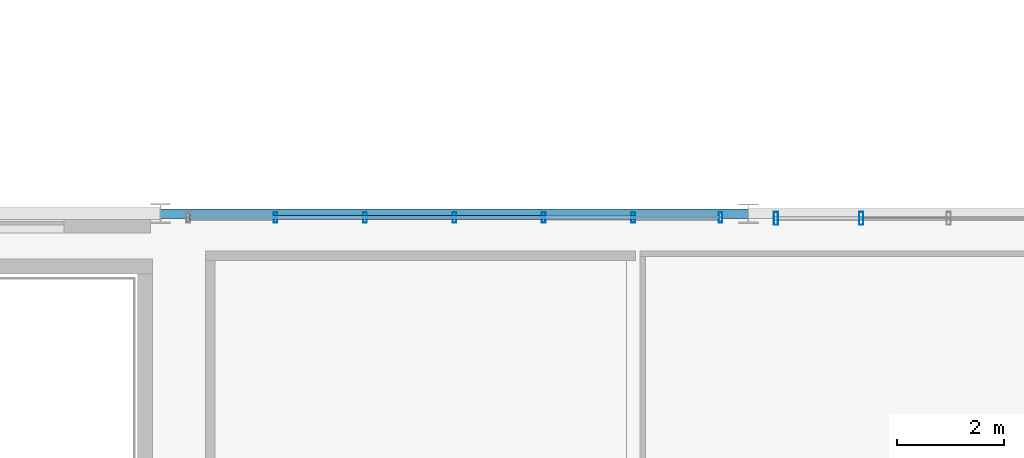
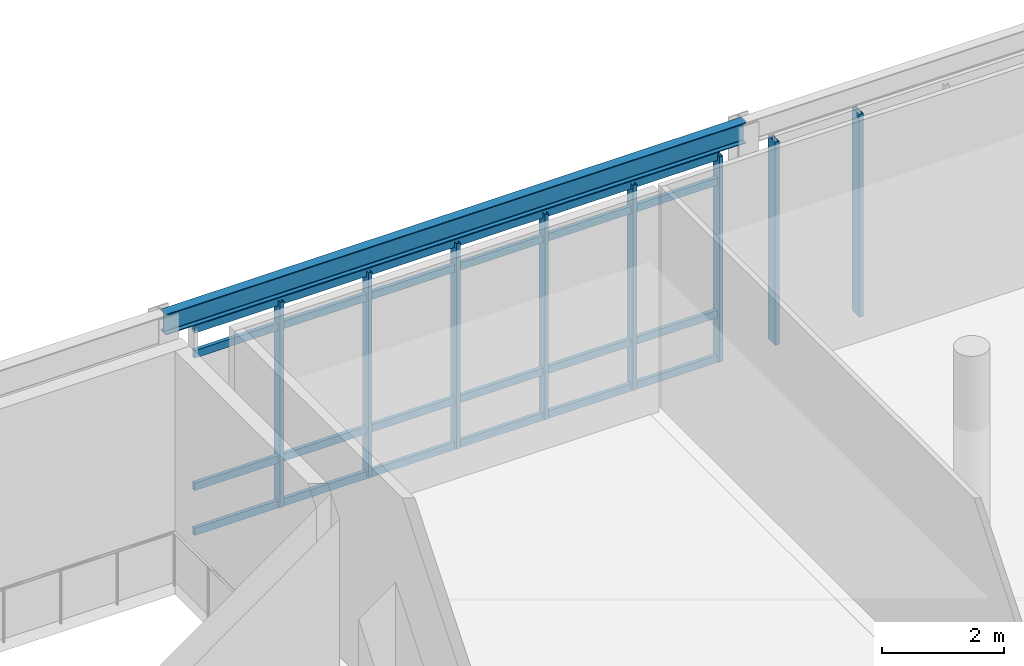
# One storey, part 34 of 200: 12 members, 1 beam, 2 elements without a shape of their own.
"""IFC4 building model written with IfcOpenShell, lengths in metres."""

from ifc_helpers import new_model, si_unit, direction, frame, origin, origin_2d, place, context, subcontext, project, spatial, hollow_rectangle, i_section, extrude, material, material_profile, profile_set, type_object, element, aggregate, save


model = new_model("IFC4")

# Units and contexts
model_context = context("Model", 3, precision=1e-05, world=origin(), true_north=direction((0.0, 1.0)))
body_context = subcontext(model_context, "Body", "Model", "MODEL_VIEW")
ifc_project = project(units=[si_unit("LENGTHUNIT", "METRE"), si_unit("AREAUNIT", "SQUARE_METRE"), si_unit("VOLUMEUNIT", "CUBIC_METRE"), si_unit("PLANEANGLEUNIT", "RADIAN"), si_unit("MASSUNIT", "GRAM", prefix="KILO"), si_unit("THERMODYNAMICTEMPERATUREUNIT", "KELVIN"), si_unit("POWERUNIT", "WATT")], contexts=[model_context])

# Site, building, storey
site_placement = place(None, origin())
site = spatial("IfcSite", under=ifc_project, at=site_placement, CompositionType="ELEMENT")
building_placement = place(site_placement, origin())
building = spatial("IfcBuilding", under=site, at=building_placement, Name="Tepalcoro Natatorium and Aquatics Centre", CompositionType="ELEMENT")
storey_placement = place(building_placement, frame((0.0, 0.0, 5.39990234375)))
storey = spatial("IfcBuildingStorey", under=building, at=storey_placement, Name="L01", CompositionType="ELEMENT", Elevation=5.39990234375)

# Curtain wall, members
ifc_material_1 = material(Name="Bronze-Anodised Extruded Aluminium Alloy EN AW-6063 T6", Category="aluminium")
curtain_wall_type_1 = type_object("IfcCurtainWallType", Name="CW_LEAN_T1_EW", PredefinedType="USERDEFINED", material=ifc_material_1)
curtain_wall_1_placement = place(storey_placement, origin())
curtain_wall_1 = element("IfcCurtainWall", 1, at=curtain_wall_1_placement, inside=storey, type_object=curtain_wall_type_1, Name="V3 L01 N Unitised Curtain Wall Bay 2", ObjectType="FACETED SOLAR GLAZING", PredefinedType="USERDEFINED")
ifc_material_profile_1 = material_profile(ifc_material_1, hollow_rectangle(XDim=0.070068359375, YDim=0.199951171875, WallThickness=0.0048828125, at=origin_2d()), Name="AL70X200X5")
ifc_profile_set_1 = profile_set([ifc_material_profile_1], Name="Bronze-Anodised Extruded Aluminium Alloy EN AW-6063 T6")
member_type_1 = type_object("IfcMemberType", Name="CW_MUL_70x200", PredefinedType="MULLION", material=ifc_profile_set_1)
member_1_placement = place(storey_placement, frame((12.1533203125, 51.4287109375, 0.02001953125), z_axis=(0.0, 0.0, 1.0), x_axis=(1.0, 0.0, 0.0)))
member_1 = element("IfcMember", 2, at=member_1_placement, type_object=member_type_1, Name="CW_LEAN_T1_EW Curtain Wall Mullion", PredefinedType="MULLION", context=body_context, shape_type="SweptSolid", body=[
    extrude(hollow_rectangle(XDim=0.070068359375, YDim=0.199951171875, WallThickness=0.0048828125, at=origin_2d()), origin(), (0.0, 0.0, 1.0), 4.1171875),
])
member_2_placement = place(storey_placement, frame((13.82666015625, 51.4287109375, 0.02001953125), z_axis=(0.0, 0.0, 1.0), x_axis=(1.0, 0.0, 0.0)))
member_2 = element("IfcMember", 3, at=member_2_placement, type_object=member_type_1, Name="CW_LEAN_T1_EW Curtain Wall Mullion", PredefinedType="MULLION", context=body_context, shape_type="SweptSolid", body=[
    extrude(hollow_rectangle(XDim=0.070068359375, YDim=0.199951171875, WallThickness=0.0048828125, at=origin_2d()), origin(), (0.0, 0.0, 1.0), 4.1171875),
])
member_3_placement = place(storey_placement, frame((15.5, 51.4287109375, 0.02001953125), z_axis=(0.0, 0.0, 1.0), x_axis=(1.0, 0.0, 0.0)))
member_3 = element("IfcMember", 4, at=member_3_placement, type_object=member_type_1, Name="CW_LEAN_T1_EW Curtain Wall Mullion", PredefinedType="MULLION", context=body_context, shape_type="SweptSolid", body=[
    extrude(hollow_rectangle(XDim=0.070068359375, YDim=0.199951171875, WallThickness=0.0048828125, at=origin_2d()), origin(), (0.0, 0.0, 1.0), 4.1171875),
])
member_4_placement = place(storey_placement, frame((17.17333984375, 51.4287109375, 0.02001953125), z_axis=(0.0, 0.0, 1.0), x_axis=(1.0, 0.0, 0.0)))
member_4 = element("IfcMember", 5, at=member_4_placement, type_object=member_type_1, Name="CW_LEAN_T1_EW Curtain Wall Mullion", PredefinedType="MULLION", context=body_context, shape_type="SweptSolid", body=[
    extrude(hollow_rectangle(XDim=0.070068359375, YDim=0.199951171875, WallThickness=0.0048828125, at=origin_2d()), origin(), (0.0, 0.0, 1.0), 4.1171875),
])
member_5_placement = place(storey_placement, frame((18.8466796875, 51.4287109375, 0.02001953125), z_axis=(0.0, 0.0, 1.0), x_axis=(1.0, 0.0, 0.0)))
member_5 = element("IfcMember", 6, at=member_5_placement, type_object=member_type_1, Name="CW_LEAN_T1_EW Curtain Wall Mullion", PredefinedType="MULLION", context=body_context, shape_type="SweptSolid", body=[
    extrude(hollow_rectangle(XDim=0.070068359375, YDim=0.199951171875, WallThickness=0.0048828125, at=origin_2d()), origin(), (0.0, 0.0, 1.0), 4.1171875),
])
member_6_placement = place(storey_placement, frame((20.47998046875, 51.4287109375, 0.02001953125), z_axis=(0.0, 0.0, 1.0), x_axis=(1.0, 0.0, 0.0)))
member_6 = element("IfcMember", 7, at=member_6_placement, type_object=member_type_1, Name="CW_LEAN_T1_EW Curtain Wall Mullion", PredefinedType="MULLION", context=body_context, shape_type="SweptSolid", body=[
    extrude(hollow_rectangle(XDim=0.070068359375, YDim=0.199951171875, WallThickness=0.0048828125, at=origin_2d()), origin(), (0.0, 0.0, 1.0), 4.1171875),
])

curtain_wall_type_2 = type_object("IfcCurtainWallType", Name="CW_LEAN_T2_NS", PredefinedType="USERDEFINED", material=ifc_material_1)
curtain_wall_2_placement = place(storey_placement, origin())
curtain_wall_2 = element("IfcCurtainWall", 8, at=curtain_wall_2_placement, inside=storey, type_object=curtain_wall_type_2, Name="V3 L01 N Unitised Curtain Wall Bay 3", ObjectType="FACETED SOLAR GLAZING", PredefinedType="USERDEFINED")
ifc_material_profile_2 = material_profile(ifc_material_1, hollow_rectangle(XDim=0.080078125, YDim=0.239990234375, WallThickness=0.0048828125, at=origin_2d()), Name="AL80X240X5")
ifc_profile_set_2 = profile_set([ifc_material_profile_2], Name="Bronze-Anodised Extruded Aluminium Alloy EN AW-6063 T6")
member_type_2 = type_object("IfcMemberType", Name="CW_MUL_80x240", PredefinedType="MULLION", material=ifc_profile_set_2)
member_7_placement = place(storey_placement, frame((21.52001953125, 51.409912109375, 0.02001953125), z_axis=(0.0, 0.0, 1.0), x_axis=(1.0, 0.0, 0.0)))
member_7 = element("IfcMember", 9, at=member_7_placement, type_object=member_type_2, Name="CW_LEAN_T2_NS Curtain Wall Mullion", PredefinedType="MULLION", context=body_context, shape_type="SweptSolid", body=[
    extrude(hollow_rectangle(XDim=0.080078125, YDim=0.239990234375, WallThickness=0.0048828125, at=origin_2d()), origin(), (0.0, 0.0, 1.0), 4.070068359375),
])
member_8_placement = place(storey_placement, frame((23.114990234375, 51.409912109375, 0.02001953125), z_axis=(0.0, 0.0, 1.0), x_axis=(1.0, 0.0, 0.0)))
member_8 = element("IfcMember", 10, at=member_8_placement, type_object=member_type_2, Name="CW_LEAN_T2_NS Curtain Wall Mullion", PredefinedType="MULLION", context=body_context, shape_type="SweptSolid", body=[
    extrude(hollow_rectangle(XDim=0.080078125, YDim=0.239990234375, WallThickness=0.0048828125, at=origin_2d()), origin(), (0.0, 0.0, 1.0), 4.070068359375),
])
aggregate(curtain_wall_2, [member_7, member_8])

# Member
ifc_material_profile_3 = material_profile(ifc_material_1, hollow_rectangle(XDim=0.070068359375, YDim=0.14990234375, WallThickness=0.00390625, at=origin_2d()), Name="AL70X150X4")
ifc_profile_set_3 = profile_set([ifc_material_profile_3], Name="Bronze-Anodised Extruded Aluminium Alloy EN AW-6063 T6")
member_type_3 = type_object("IfcMemberType", Name="CW_TRN_70x150", PredefinedType="USERDEFINED", material=ifc_profile_set_3)
member_9_placement = place(storey_placement, frame((10.530029296875, 51.4287109375, 0.050048828125), z_axis=(1.0, 0.0, 0.0), x_axis=(0.0, 1.0, 0.0)))
member_9 = element("IfcMember", 11, at=member_9_placement, type_object=member_type_3, Name="CW_LEAN_T1_EW Curtain Wall Transom", ObjectType="TRANSOM", PredefinedType="USERDEFINED", context=body_context, shape_type="SweptSolid", body=[
    extrude(hollow_rectangle(XDim=0.070068359375, YDim=0.14990234375, WallThickness=0.00390625, at=origin_2d()), origin(), (0.0, 0.0, 1.0), 9.93994140625),
])

member_10_placement = place(storey_placement, frame((10.530029296875, 51.4287109375, 0.9501953125), z_axis=(1.0, 0.0, 0.0), x_axis=(0.0, 1.0, 0.0)))
member_10 = element("IfcMember", 12, at=member_10_placement, type_object=member_type_3, Name="CW_LEAN_T1_EW Curtain Wall Transom", ObjectType="TRANSOM", PredefinedType="USERDEFINED", context=body_context, shape_type="SweptSolid", body=[
    extrude(hollow_rectangle(XDim=0.070068359375, YDim=0.14990234375, WallThickness=0.00390625, at=origin_2d()), origin(), (0.0, 0.0, 1.0), 9.93994140625),
])

member_11_placement = place(storey_placement, frame((10.530029296875, 51.4287109375, 3.607177734375), z_axis=(1.0, 0.0, 0.0), x_axis=(0.0, 1.0, 0.0)))
member_11 = element("IfcMember", 13, at=member_11_placement, type_object=member_type_3, Name="CW_LEAN_T1_EW Curtain Wall Transom", ObjectType="TRANSOM", PredefinedType="USERDEFINED", context=body_context, shape_type="SweptSolid", body=[
    extrude(hollow_rectangle(XDim=0.070068359375, YDim=0.14990234375, WallThickness=0.00390625, at=origin_2d()), origin(), (0.0, 0.0, 1.0), 9.93994140625),
])

member_12_placement = place(storey_placement, frame((10.530029296875, 51.4287109375, 4.107177734375), z_axis=(1.0, 0.0, 0.0), x_axis=(0.0, 1.0, 0.0)))
member_12 = element("IfcMember", 14, at=member_12_placement, type_object=member_type_3, Name="CW_LEAN_T1_EW Curtain Wall Transom", ObjectType="TRANSOM", PredefinedType="USERDEFINED", context=body_context, shape_type="SweptSolid", body=[
    extrude(hollow_rectangle(XDim=0.070068359375, YDim=0.14990234375, WallThickness=0.00390625, at=origin_2d()), origin(), (0.0, 0.0, 1.0), 9.93994140625),
])

aggregate(curtain_wall_1, [member_1, member_2, member_3, member_4, member_5, member_6, member_9, member_10, member_11, member_12])

# Beam
ifc_material_2 = material(Name="Steel ASTM A992 Grade 50 (Fy 345 MPa)", Category="steel")
ifc_material_profile_4 = material_profile(ifc_material_2, i_section(OverallWidth=0.179931640625, OverallDepth=0.4130859375, WebThickness=0.010009765625, FlangeThickness=0.01611328125, FilletRadius=0.013916015625, at=origin_2d()), Name="W16X50")
ifc_profile_set_4 = profile_set([ifc_material_profile_4], Name="Steel ASTM A992 Grade 50 (Fy 345 MPa)")
beam_type = type_object("IfcBeamType", Name="SP_HSS300x200x12", PredefinedType="SPANDREL", material=ifc_profile_set_4)
beam_placement = place(storey_placement, frame((10.0, 51.5, 4.378662109375), z_axis=(1.0, 0.0, 0.0), x_axis=(0.0, 1.0, 0.0)))
element("IfcBeam", 15, at=beam_placement, inside=storey, type_object=beam_type, Name="V3 L01 Grid Girder X", PredefinedType="SPANDREL", context=body_context, shape_type="SweptSolid", body=[
    extrude(i_section(OverallWidth=0.179931640625, OverallDepth=0.4130859375, WebThickness=0.010009765625, FlangeThickness=0.01611328125, FilletRadius=0.013916015625, at=origin_2d()), origin(), (0.0, 0.0, 1.0), 11.0),
])

save(model, "model.ifc")
